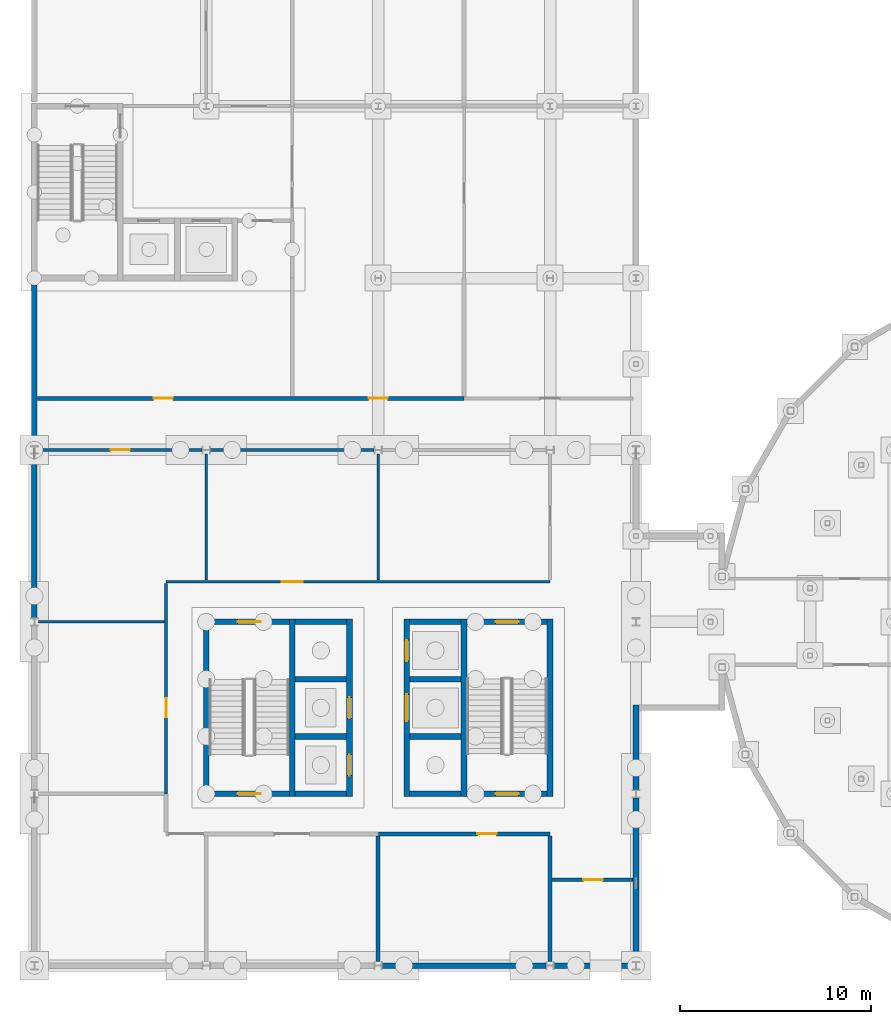
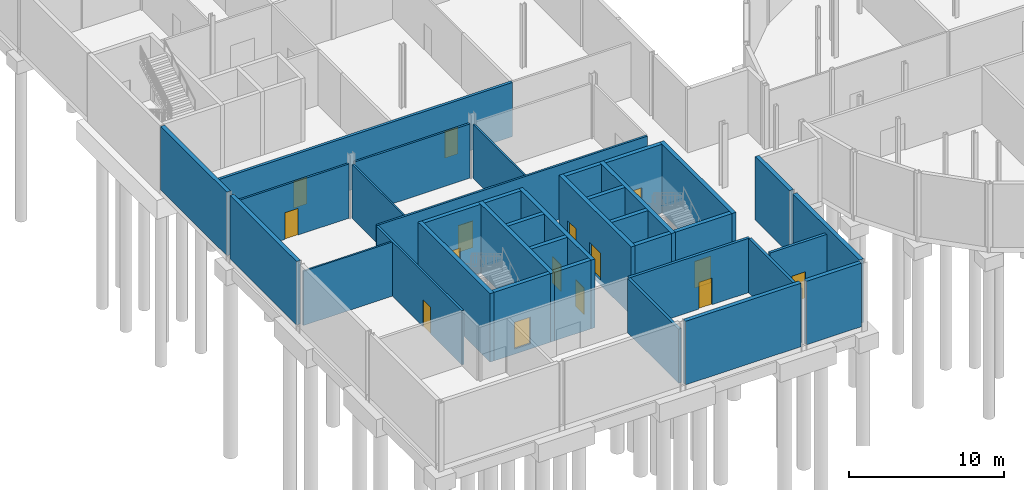
# One storey, part 14 of 25: 36 walls, 15 doors, 15 openings.
"""IFC4 building model written with IfcOpenShell, lengths in metres."""

from ifc_helpers import new_model, si_unit, direction, frame, frame_2d, origin, place, context, subcontext, project, spatial, rectangle, extrude, material, layer, layer_set, type_object, element, fill, save


model = new_model("IFC4")

# Units and contexts
model_context = context("Model", 3, precision=1e-05, world=origin(), true_north=direction((0.0, 1.0)))
body_context = subcontext(model_context, "Body", "Model", "MODEL_VIEW")
ifc_project = project(units=[si_unit("LENGTHUNIT", "METRE"), si_unit("AREAUNIT", "SQUARE_METRE"), si_unit("VOLUMEUNIT", "CUBIC_METRE"), si_unit("PLANEANGLEUNIT", "RADIAN"), si_unit("MASSUNIT", "GRAM", prefix="KILO")], contexts=[model_context])

# Site, building, storey
site_placement = place(None, origin())
site = spatial("IfcSite", under=ifc_project, at=site_placement, CompositionType="ELEMENT")
building_placement = place(site_placement, origin())
building = spatial("IfcBuilding", under=site, at=building_placement, Name="Hortulan Conservatory and Botanical Research Centre", CompositionType="ELEMENT")
storey_placement = place(building_placement, frame((0.0, 0.0, -5.0)))
storey = spatial("IfcBuildingStorey", under=building, at=storey_placement, Name="B1", CompositionType="ELEMENT", Elevation=-5.0)

# Walls
ifc_material_1 = material(Name="Concrete N40 (40 MPa, AS 3600)", Category="concrete")
ifc_layer_1 = layer(ifc_material_1, 0.300048828125)
ifc_layer_set_1 = layer_set([ifc_layer_1], Name="Basement Wall 300 N40 FRL 120/120/120")
wall_type_1 = type_object("IfcWallType", Name="Basement Wall 300 N40 FRL 120/120/120", PredefinedType="SOLIDWALL", material=ifc_layer_set_1)
wall_1_placement = place(storey_placement, frame((0.0, 27.2109375, 0.0), z_axis=(0.0, 0.0, 1.0), x_axis=(0.0, 1.0, 0.0)))
element("IfcWall", 1, at=wall_1_placement, inside=storey, type_object=wall_type_1, Name="Basement retaining wall", PredefinedType="SOLIDWALL", context=body_context, shape_type="SweptSolid", body=[
    extrude(rectangle(XDim=8.5390625, YDim=0.300048828125, at=frame_2d((4.26953125, 0.0))), origin(), (0.0, 0.0, 1.0), 5.0),
])
ifc_layer_2 = layer(ifc_material_1, 0.300048828125)
ifc_layer_set_2 = layer_set([ifc_layer_2], Name="Basement Wall 300 N40 FRL 240/240/240")
wall_type_2 = type_object("IfcWallType", Name="Basement Wall 300 N40 FRL 240/240/240", PredefinedType="SOLIDWALL", material=ifc_layer_set_2)
wall_2_placement = place(storey_placement, frame((31.5, 13.64990234375, 0.0), z_axis=(0.0, 0.0, 1.0), x_axis=(0.0, -1.0, 0.0)))
element("IfcWall", 2, at=wall_2_placement, inside=storey, type_object=wall_type_2, Name="Basement retaining wall", PredefinedType="SOLIDWALL", context=body_context, shape_type="SweptSolid", body=[
    extrude(rectangle(XDim=4.43896484375, YDim=0.300048828125, at=frame_2d((2.219482421875, 0.0))), origin(), (0.0, 0.0, 1.0), 5.0),
])
wall_3_placement = place(storey_placement, frame((31.5, 8.7890625, 0.0), z_axis=(0.0, 0.0, 1.0), x_axis=(0.0, -1.0, 0.0)))
element("IfcWall", 3, at=wall_3_placement, inside=storey, type_object=wall_type_2, Name="Basement retaining wall", PredefinedType="SOLIDWALL", context=body_context, shape_type="SweptSolid", body=[
    extrude(rectangle(XDim=8.578125, YDim=0.300048828125, at=frame_2d((4.2890625, 0.0))), origin(), (0.0, 0.0, 1.0), 5.0),
])
wall_4_placement = place(storey_placement, frame((31.300048828125, 0.0, 0.0), z_axis=(0.0, 0.0, 1.0), x_axis=(-1.0, 0.0, 0.0)))
element("IfcWall", 4, at=wall_4_placement, inside=storey, type_object=wall_type_2, Name="Basement retaining wall", PredefinedType="SOLIDWALL", context=body_context, shape_type="SweptSolid", body=[
    extrude(rectangle(XDim=4.089111328125, YDim=0.300048828125, at=frame_2d((2.04443359375, 0.0))), origin(), (0.0, 0.0, 1.0), 5.0),
])
for number, where, z_axis, x_axis, name in (
    (5, (26.7890625, 0.0, 0.0), (0.0, 0.0, 1.0), (-1.0, 0.0, 0.0), "Basement retaining wall"),
    (6, (0.0, 18.2109375, 0.0), (0.0, 0.0, 1.0), (0.0, 1.0, 0.0), "Basement retaining wall"),
):
    element("IfcWall", number, at=place(storey_placement, frame(where, z_axis=z_axis, x_axis=x_axis)), inside=storey, type_object=wall_type_2, Name=name, PredefinedType="SOLIDWALL", context=body_context, shape_type="SweptSolid", body=[
        extrude(rectangle(XDim=8.578125, YDim=0.300048828125, at=frame_2d((4.2890625, 0.0))), origin(), (0.0, 0.0, 1.0), 5.0),
    ])
ifc_material_2 = material(Name="Fire-rated plasterboard on steel studs", Category="steel")
ifc_layer_3 = layer(ifc_material_2, 0.199951171875)
ifc_layer_set_3 = layer_set([ifc_layer_3], Name="Compartment Partition 200")
wall_type_3 = type_object("IfcWallType", Name="Compartment Partition 200", PredefinedType="PARTITIONING", material=ifc_layer_set_3)
for number, where, z_axis, x_axis, name in (
    (7, (18.0, 0.220947265625, 0.0), (0.0, 0.0, 1.0), (0.0, 1.0, 0.0), "Plant room wall"),
    (8, (27.0, 0.220947265625, 0.0), (0.0, 0.0, 1.0), (0.0, 1.0, 0.0), "Store wall"),
):
    element("IfcWall", number, at=place(storey_placement, frame(where, z_axis=z_axis, x_axis=x_axis)), inside=storey, type_object=wall_type_3, Name=name, PredefinedType="PARTITIONING", context=body_context, shape_type="SweptSolid", body=[
        extrude(rectangle(XDim=6.569091796875, YDim=0.199951171875, at=frame_2d((3.28466796875, 0.0))), origin(), (0.0, 0.0, 1.0), 4.26708984375),
    ])

# Wall, opening, door
wall_5_placement = place(storey_placement, frame((27.110107421875, 4.5, 0.0), z_axis=(0.0, 0.0, 1.0), x_axis=(1.0, 0.0, 0.0)))
wall_5 = element("IfcWall", 9, at=wall_5_placement, inside=storey, type_object=wall_type_3, Name="Riser wall", PredefinedType="PARTITIONING", context=body_context, shape_type="SweptSolid", body=[
    extrude(rectangle(XDim=4.22998046875, YDim=0.199951171875, at=frame_2d((2.114990234375, 0.0))), origin(), (0.0, 0.0, 1.0), 4.49609375),
])
opening_1_placement = place(wall_5_placement, frame((1.639892578125, 0.0, 0.0)))
opening_1 = element("IfcOpeningElement", 10, at=opening_1_placement, cuts=wall_5, Name="Opening DT6", PredefinedType="OPENING", context=body_context, shape_type="SweptSolid", body=[
    extrude(rectangle(XDim=1.0, YDim=2.10009765625, at=frame_2d((0.5, 1.050048828125))), frame((0.0, 0.10986328125, 0.0), z_axis=(0.0, -1.0, 0.0), x_axis=(1.0, 0.0, 0.0)), (0.0, 0.0, 1.0), 0.219970703125),
])
ifc_material_3 = material(Name="Steel door leaf, insulated", Category="steel")
door_type_1 = type_object("IfcDoorType", Name="Fire Door 1000x2100 FRL -/120/30", OperationType="NOTDEFINED", PredefinedType="DOOR", material=ifc_material_3)
door_1_placement = place(opening_1_placement, frame((1.0, 0.0, 0.0), z_axis=(0.0, 0.0, 1.0), x_axis=(-1.0, 0.0, 0.0)))
door_1 = element("IfcDoor", 11, at=door_1_placement, inside=storey, type_object=door_type_1, Name="Door DT6 Services Riser", OperationType="SINGLE_SWING_LEFT", OverallHeight=2.10009765625, OverallWidth=1.0, PredefinedType="DOOR", context=body_context, shape_type="SweptSolid", body=[
    extrude(rectangle(XDim=1.0, YDim=2.10009765625, at=frame_2d((0.5, 1.050048828125))), frame((0.0, 0.02490234375, 0.0), z_axis=(0.0, -1.0, 0.0), x_axis=(1.0, 0.0, 0.0)), (0.0, 0.0, 1.0), 0.050048828125),
])
fill(opening_1, door_1)

wall_6_placement = place(storey_placement, frame((18.010009765625, 6.89990234375, 0.0), z_axis=(0.0, 0.0, 1.0), x_axis=(1.0, 0.0, 0.0)))
wall_6 = element("IfcWall", 12, at=wall_6_placement, inside=storey, type_object=wall_type_3, Name="Store wall", PredefinedType="PARTITIONING", context=body_context, shape_type="SweptSolid", body=[
    extrude(rectangle(XDim=8.989990234375, YDim=0.199951171875, at=frame_2d((4.4951171875, 0.0))), origin(), (0.0, 0.0, 1.0), 4.26708984375),
])
opening_2_placement = place(wall_6_placement, frame((5.18994140625, 0.0, 0.0)))
opening_2 = element("IfcOpeningElement", 13, at=opening_2_placement, cuts=wall_6, Name="Opening DT6", PredefinedType="OPENING", context=body_context, shape_type="SweptSolid", body=[
    extrude(rectangle(XDim=1.0, YDim=2.10009765625, at=frame_2d((0.5, 1.050048828125))), frame((0.0, 0.10986328125, 0.0), z_axis=(0.0, -1.0, 0.0), x_axis=(1.0, 0.0, 0.0)), (0.0, 0.0, 1.0), 0.219970703125),
])
door_2_placement = place(opening_2_placement, frame((1.0, 0.0, 0.0), z_axis=(0.0, 0.0, 1.0), x_axis=(-1.0, 0.0, 0.0)))
door_2 = element("IfcDoor", 14, at=door_2_placement, inside=storey, type_object=door_type_1, Name="Door DT6 Goods Store", OperationType="SINGLE_SWING_RIGHT", OverallHeight=2.10009765625, OverallWidth=1.0, PredefinedType="DOOR", context=body_context, shape_type="SweptSolid", body=[
    extrude(rectangle(XDim=1.0, YDim=2.10009765625, at=frame_2d((0.5, 1.050048828125))), frame((0.0, 0.02490234375, 0.0), z_axis=(0.0, -1.0, 0.0), x_axis=(1.0, 0.0, 0.0)), (0.0, 0.0, 1.0), 0.050048828125),
])
fill(opening_2, door_2)

# Wall, openings, doors
wall_7_placement = place(storey_placement, frame((0.159912109375, 29.699951171875, 0.0), z_axis=(0.0, 0.0, 1.0), x_axis=(1.0, 0.0, 0.0)))
wall_7 = element("IfcWall", 15, at=wall_7_placement, inside=storey, type_object=wall_type_3, Name="Store wall", PredefinedType="PARTITIONING", context=body_context, shape_type="SweptSolid", body=[
    extrude(rectangle(XDim=22.340087890625, YDim=0.199951171875, at=frame_2d((11.169921875, 0.0))), origin(), (0.0, 0.0, 1.0), 4.26708984375),
])
opening_3_placement = place(wall_7_placement, frame((6.090087890625, 0.0, 0.0)))
opening_3 = element("IfcOpeningElement", 16, at=opening_3_placement, cuts=wall_7, Name="Opening DT6", PredefinedType="OPENING", context=body_context, shape_type="SweptSolid", body=[
    extrude(rectangle(XDim=1.0, YDim=2.10009765625, at=frame_2d((0.5, 1.050048828125))), frame((0.0, 0.10986328125, 0.0), z_axis=(0.0, -1.0, 0.0), x_axis=(1.0, 0.0, 0.0)), (0.0, 0.0, 1.0), 0.219970703125),
])
opening_4_placement = place(wall_7_placement, frame((17.340087890625, 0.0, 0.0)))
opening_4 = element("IfcOpeningElement", 17, at=opening_4_placement, cuts=wall_7, Name="Opening DT6", PredefinedType="OPENING", context=body_context, shape_type="SweptSolid", body=[
    extrude(rectangle(XDim=1.0, YDim=2.10009765625, at=frame_2d((0.5, 1.050048828125))), frame((0.0, 0.10986328125, 0.0), z_axis=(0.0, -1.0, 0.0), x_axis=(1.0, 0.0, 0.0)), (0.0, 0.0, 1.0), 0.219970703125),
])
door_3_placement = place(opening_3_placement, origin())
door_3 = element("IfcDoor", 18, at=door_3_placement, inside=storey, type_object=door_type_1, Name="Door DT6 Seed Cold Vault", OperationType="SINGLE_SWING_RIGHT", OverallHeight=2.10009765625, OverallWidth=1.0, PredefinedType="DOOR", context=body_context, shape_type="SweptSolid", body=[
    extrude(rectangle(XDim=1.0, YDim=2.10009765625, at=frame_2d((0.5, 1.050048828125))), frame((0.0, 0.02490234375, 0.0), z_axis=(0.0, -1.0, 0.0), x_axis=(1.0, 0.0, 0.0)), (0.0, 0.0, 1.0), 0.050048828125),
])
fill(opening_3, door_3)
door_4_placement = place(opening_4_placement, origin())
door_4 = element("IfcDoor", 19, at=door_4_placement, inside=storey, type_object=door_type_1, Name="Door DT6 Seed Dry Room", OperationType="SINGLE_SWING_LEFT", OverallHeight=2.10009765625, OverallWidth=1.0, PredefinedType="DOOR", context=body_context, shape_type="SweptSolid", body=[
    extrude(rectangle(XDim=1.0, YDim=2.10009765625, at=frame_2d((0.5, 1.050048828125))), frame((0.0, 0.02490234375, 0.0), z_axis=(0.0, -1.0, 0.0), x_axis=(1.0, 0.0, 0.0)), (0.0, 0.0, 1.0), 0.050048828125),
])
fill(opening_4, door_4)

# Walls
ifc_material_4 = material(Name="Concrete N50 (50 MPa, AS 3600)", Category="concrete")
ifc_layer_4 = layer(ifc_material_4, 0.300048828125)
ifc_layer_set_4 = layer_set([ifc_layer_4], Name="Core Wall 300 N50 FRL 240/120/120")
wall_type_4 = type_object("IfcWallType", Name="Core Wall 300 N50 FRL 240/120/120", PredefinedType="SHEAR", material=ifc_layer_set_4)
for number, where, z_axis, x_axis, name in (
    (20, (9.0, 8.85009765625, -0.39990234375), (0.0, 0.0, 1.0), (0.0, 1.0, 0.0), "Reinforced concrete shaft wall"),
    (21, (13.5, 8.85009765625, -0.39990234375), (0.0, 0.0, 1.0), (0.0, 1.0, 0.0), "Reinforced concrete shaft wall"),
):
    element("IfcWall", number, at=place(storey_placement, frame(where, z_axis=z_axis, x_axis=x_axis)), inside=storey, type_object=wall_type_4, Name=name, PredefinedType="SHEAR", context=body_context, shape_type="SweptSolid", body=[
        extrude(rectangle(XDim=9.2998046875, YDim=0.300048828125, at=frame_2d((4.64990234375, 0.0))), origin(), (0.0, 0.0, 1.0), 5.39990234375),
    ])

# Wall, openings, doors
wall_8_placement = place(storey_placement, frame((16.5, 8.85009765625, -0.39990234375), z_axis=(0.0, 0.0, 1.0), x_axis=(0.0, 1.0, 0.0)))
wall_8 = element("IfcWall", 22, at=wall_8_placement, inside=storey, type_object=wall_type_4, Name="Reinforced concrete shaft wall", PredefinedType="SHEAR", context=body_context, shape_type="SweptSolid", body=[
    extrude(rectangle(XDim=9.2998046875, YDim=0.300048828125, at=frame_2d((4.64990234375, 0.0))), origin(), (0.0, 0.0, 1.0), 5.39990234375),
])
opening_5_placement = place(wall_8_placement, frame((1.10009765625, 0.0, 0.39990234375)))
opening_5 = element("IfcOpeningElement", 23, at=opening_5_placement, cuts=wall_8, Name="Opening LD1", PredefinedType="OPENING", context=body_context, shape_type="SweptSolid", body=[
    extrude(rectangle(XDim=1.10009765625, YDim=2.10009765625, at=frame_2d((0.550048828125, 1.050048828125))), frame((0.0, 0.159912109375, 0.0), z_axis=(0.0, -1.0, 0.0), x_axis=(1.0, 0.0, 0.0)), (0.0, 0.0, 1.0), 0.320068359375),
])
opening_6_placement = place(wall_8_placement, frame((4.10009765625, 0.0, 0.39990234375)))
opening_6 = element("IfcOpeningElement", 24, at=opening_6_placement, cuts=wall_8, Name="Opening LD1", PredefinedType="OPENING", context=body_context, shape_type="SweptSolid", body=[
    extrude(rectangle(XDim=1.10009765625, YDim=2.10009765625, at=frame_2d((0.550048828125, 1.050048828125))), frame((0.0, 0.159912109375, 0.0), z_axis=(0.0, -1.0, 0.0), x_axis=(1.0, 0.0, 0.0)), (0.0, 0.0, 1.0), 0.320068359375),
])
ifc_material_5 = material(Name="Stainless steel door leaves in steel frame", Category="steel")
door_type_2 = type_object("IfcDoorType", Name="Lift Landing Door 1100x2100", OperationType="DOUBLE_DOOR_SLIDING", PredefinedType="DOOR", material=ifc_material_5)
door_5_placement = place(opening_5_placement, origin())
door_5 = element("IfcDoor", 25, at=door_5_placement, inside=storey, type_object=door_type_2, Name="Lift LP1 landing door B1", OperationType="DOUBLE_DOOR_SLIDING", OverallHeight=2.10009765625, OverallWidth=1.10009765625, PredefinedType="DOOR", context=body_context, shape_type="SweptSolid", body=[
    extrude(rectangle(XDim=1.10009765625, YDim=2.10009765625, at=frame_2d((0.550048828125, 1.050048828125))), frame((0.0, 0.02490234375, 0.0), z_axis=(0.0, -1.0, 0.0), x_axis=(1.0, 0.0, 0.0)), (0.0, 0.0, 1.0), 0.050048828125),
])
fill(opening_5, door_5)
door_6_placement = place(opening_6_placement, origin())
door_6 = element("IfcDoor", 26, at=door_6_placement, inside=storey, type_object=door_type_2, Name="Lift LP2 landing door B1", OperationType="DOUBLE_DOOR_SLIDING", OverallHeight=2.10009765625, OverallWidth=1.10009765625, PredefinedType="DOOR", context=body_context, shape_type="SweptSolid", body=[
    extrude(rectangle(XDim=1.10009765625, YDim=2.10009765625, at=frame_2d((0.550048828125, 1.050048828125))), frame((0.0, 0.02490234375, 0.0), z_axis=(0.0, -1.0, 0.0), x_axis=(1.0, 0.0, 0.0)), (0.0, 0.0, 1.0), 0.050048828125),
])
fill(opening_6, door_6)

wall_9_placement = place(storey_placement, frame((19.5, 8.85009765625, -0.39990234375), z_axis=(0.0, 0.0, 1.0), x_axis=(0.0, 1.0, 0.0)))
wall_9 = element("IfcWall", 27, at=wall_9_placement, inside=storey, type_object=wall_type_4, Name="Reinforced concrete shaft wall", PredefinedType="SHEAR", context=body_context, shape_type="SweptSolid", body=[
    extrude(rectangle(XDim=9.2998046875, YDim=0.300048828125, at=frame_2d((4.64990234375, 0.0))), origin(), (0.0, 0.0, 1.0), 5.39990234375),
])
opening_7_placement = place(wall_9_placement, frame((3.949951171875, 0.0, 0.39990234375)))
opening_7 = element("IfcOpeningElement", 28, at=opening_7_placement, cuts=wall_9, Name="Opening LD2", PredefinedType="OPENING", context=body_context, shape_type="SweptSolid", body=[
    extrude(rectangle(XDim=1.39990234375, YDim=2.10009765625, at=frame_2d((0.699951171875, 1.050048828125))), frame((0.0, 0.159912109375, 0.0), z_axis=(0.0, -1.0, 0.0), x_axis=(1.0, 0.0, 0.0)), (0.0, 0.0, 1.0), 0.320068359375),
])
opening_8_placement = place(wall_9_placement, frame((7.10009765625, 0.0, 0.39990234375)))
opening_8 = element("IfcOpeningElement", 29, at=opening_8_placement, cuts=wall_9, Name="Opening LD1", PredefinedType="OPENING", context=body_context, shape_type="SweptSolid", body=[
    extrude(rectangle(XDim=1.10009765625, YDim=2.10009765625, at=frame_2d((0.550048828125, 1.050048828125))), frame((0.0, 0.159912109375, 0.0), z_axis=(0.0, -1.0, 0.0), x_axis=(1.0, 0.0, 0.0)), (0.0, 0.0, 1.0), 0.320068359375),
])
door_7_placement = place(opening_8_placement, origin())
door_7 = element("IfcDoor", 30, at=door_7_placement, inside=storey, type_object=door_type_2, Name="Lift LF1 landing door B1", OperationType="DOUBLE_DOOR_SLIDING", OverallHeight=2.10009765625, OverallWidth=1.10009765625, PredefinedType="DOOR", context=body_context, shape_type="SweptSolid", body=[
    extrude(rectangle(XDim=1.10009765625, YDim=2.10009765625, at=frame_2d((0.550048828125, 1.050048828125))), frame((0.0, 0.02490234375, 0.0), z_axis=(0.0, -1.0, 0.0), x_axis=(1.0, 0.0, 0.0)), (0.0, 0.0, 1.0), 0.050048828125),
])
fill(opening_8, door_7)
door_type_3 = type_object("IfcDoorType", Name="Lift Landing Door 1400x2100", OperationType="DOUBLE_DOOR_SLIDING", PredefinedType="DOOR", material=ifc_material_5)
door_8_placement = place(opening_7_placement, origin())
door_8 = element("IfcDoor", 31, at=door_8_placement, inside=storey, type_object=door_type_3, Name="Lift LG1 landing door B1", OperationType="DOUBLE_DOOR_SLIDING", OverallHeight=2.10009765625, OverallWidth=1.39990234375, PredefinedType="DOOR", context=body_context, shape_type="SweptSolid", body=[
    extrude(rectangle(XDim=1.39990234375, YDim=2.10009765625, at=frame_2d((0.699951171875, 1.050048828125))), frame((0.0, 0.02490234375, 0.0), z_axis=(0.0, -1.0, 0.0), x_axis=(1.0, 0.0, 0.0)), (0.0, 0.0, 1.0), 0.050048828125),
])
fill(opening_7, door_8)

# Walls
for number, where, z_axis, x_axis, name in (
    (32, (22.5, 8.85009765625, -0.39990234375), (0.0, 0.0, 1.0), (0.0, 1.0, 0.0), "Reinforced concrete shaft wall"),
    (33, (27.0, 8.85009765625, -0.39990234375), (0.0, 0.0, 1.0), (0.0, 1.0, 0.0), "Reinforced concrete shaft wall"),
):
    element("IfcWall", number, at=place(storey_placement, frame(where, z_axis=z_axis, x_axis=x_axis)), inside=storey, type_object=wall_type_4, Name=name, PredefinedType="SHEAR", context=body_context, shape_type="SweptSolid", body=[
        extrude(rectangle(XDim=9.2998046875, YDim=0.300048828125, at=frame_2d((4.64990234375, 0.0))), origin(), (0.0, 0.0, 1.0), 5.39990234375),
    ])

# Wall, opening, door
wall_10_placement = place(storey_placement, frame((9.14990234375, 9.0, -0.39990234375), z_axis=(0.0, 0.0, 1.0), x_axis=(1.0, 0.0, 0.0)))
wall_10 = element("IfcWall", 34, at=wall_10_placement, inside=storey, type_object=wall_type_4, Name="Reinforced concrete shaft wall", PredefinedType="SHEAR", context=body_context, shape_type="SweptSolid", body=[
    extrude(rectangle(XDim=4.2001953125, YDim=0.300048828125, at=frame_2d((2.10009765625, 0.0))), origin(), (0.0, 0.0, 1.0), 5.39990234375),
])
opening_9_placement = place(wall_10_placement, frame((1.5, 0.0, 0.39990234375)))
opening_9 = element("IfcOpeningElement", 35, at=opening_9_placement, cuts=wall_10, Name="Opening DT5", PredefinedType="OPENING", context=body_context, shape_type="SweptSolid", body=[
    extrude(rectangle(XDim=1.199951171875, YDim=2.10009765625, at=frame_2d((0.60009765625, 1.050048828125))), frame((0.0, 0.159912109375, 0.0), z_axis=(0.0, -1.0, 0.0), x_axis=(1.0, 0.0, 0.0)), (0.0, 0.0, 1.0), 0.320068359375),
])
door_type_4 = type_object("IfcDoorType", Name="Stair Door 1200x2100 FRL -/120/30", OperationType="NOTDEFINED", PredefinedType="DOOR", material=ifc_material_3)
door_9_placement = place(opening_9_placement, origin())
door_9 = element("IfcDoor", 36, at=door_9_placement, inside=storey, type_object=door_type_4, Name="Door DT5 Exit Stair T1", OperationType="SINGLE_SWING_RIGHT", OverallHeight=2.10009765625, OverallWidth=1.199951171875, PredefinedType="DOOR", context=body_context, shape_type="SweptSolid", body=[
    extrude(rectangle(XDim=1.199951171875, YDim=2.10009765625, at=frame_2d((0.60009765625, 1.050048828125))), frame((0.0, 0.02490234375, 0.0), z_axis=(0.0, -1.0, 0.0), x_axis=(1.0, 0.0, 0.0)), (0.0, 0.0, 1.0), 0.050048828125),
])
fill(opening_9, door_9)

# Walls
for number, where, z_axis, x_axis, name in (
    (37, (13.64990234375, 9.0, -0.39990234375), (0.0, 0.0, 1.0), (1.0, 0.0, 0.0), "Reinforced concrete shaft wall"),
    (38, (19.64990234375, 9.0, -0.39990234375), (0.0, 0.0, 1.0), (1.0, 0.0, 0.0), "Reinforced concrete shaft wall"),
):
    element("IfcWall", number, at=place(storey_placement, frame(where, z_axis=z_axis, x_axis=x_axis)), inside=storey, type_object=wall_type_4, Name=name, PredefinedType="SHEAR", context=body_context, shape_type="SweptSolid", body=[
        extrude(rectangle(XDim=2.7001953125, YDim=0.300048828125, at=frame_2d((1.35009765625, 0.0))), origin(), (0.0, 0.0, 1.0), 5.39990234375),
    ])

# Wall, opening, door
wall_11_placement = place(storey_placement, frame((22.64990234375, 9.0, -0.39990234375), z_axis=(0.0, 0.0, 1.0), x_axis=(1.0, 0.0, 0.0)))
wall_11 = element("IfcWall", 39, at=wall_11_placement, inside=storey, type_object=wall_type_4, Name="Reinforced concrete shaft wall", PredefinedType="SHEAR", context=body_context, shape_type="SweptSolid", body=[
    extrude(rectangle(XDim=4.2001953125, YDim=0.300048828125, at=frame_2d((2.10009765625, 0.0))), origin(), (0.0, 0.0, 1.0), 5.39990234375),
])
opening_10_placement = place(wall_11_placement, frame((1.5, 0.0, 0.39990234375)))
opening_10 = element("IfcOpeningElement", 40, at=opening_10_placement, cuts=wall_11, Name="Opening DT5", PredefinedType="OPENING", context=body_context, shape_type="SweptSolid", body=[
    extrude(rectangle(XDim=1.199951171875, YDim=2.10009765625, at=frame_2d((0.60009765625, 1.050048828125))), frame((0.0, 0.159912109375, 0.0), z_axis=(0.0, -1.0, 0.0), x_axis=(1.0, 0.0, 0.0)), (0.0, 0.0, 1.0), 0.320068359375),
])
door_10_placement = place(opening_10_placement, origin())
door_10 = element("IfcDoor", 41, at=door_10_placement, inside=storey, type_object=door_type_4, Name="Door DT5 Exit Stair T2", OperationType="SINGLE_SWING_LEFT", OverallHeight=2.10009765625, OverallWidth=1.199951171875, PredefinedType="DOOR", context=body_context, shape_type="SweptSolid", body=[
    extrude(rectangle(XDim=1.199951171875, YDim=2.10009765625, at=frame_2d((0.60009765625, 1.050048828125))), frame((0.0, 0.02490234375, 0.0), z_axis=(0.0, -1.0, 0.0), x_axis=(1.0, 0.0, 0.0)), (0.0, 0.0, 1.0), 0.050048828125),
])
fill(opening_10, door_10)

# Walls
for number, where, z_axis, x_axis, name in (
    (42, (13.64990234375, 12.0, -0.39990234375), (0.0, 0.0, 1.0), (1.0, 0.0, 0.0), "Reinforced concrete shaft wall"),
    (43, (19.64990234375, 12.0, -0.39990234375), (0.0, 0.0, 1.0), (1.0, 0.0, 0.0), "Reinforced concrete shaft wall"),
    (44, (13.64990234375, 15.0, -0.39990234375), (0.0, 0.0, 1.0), (1.0, 0.0, 0.0), "Reinforced concrete shaft wall"),
    (45, (19.64990234375, 15.0, -0.39990234375), (0.0, 0.0, 1.0), (1.0, 0.0, 0.0), "Reinforced concrete shaft wall"),
):
    element("IfcWall", number, at=place(storey_placement, frame(where, z_axis=z_axis, x_axis=x_axis)), inside=storey, type_object=wall_type_4, Name=name, PredefinedType="SHEAR", context=body_context, shape_type="SweptSolid", body=[
        extrude(rectangle(XDim=2.7001953125, YDim=0.300048828125, at=frame_2d((1.35009765625, 0.0))), origin(), (0.0, 0.0, 1.0), 5.39990234375),
    ])

# Wall, opening, door
wall_12_placement = place(storey_placement, frame((9.14990234375, 18.0, -0.39990234375), z_axis=(0.0, 0.0, 1.0), x_axis=(1.0, 0.0, 0.0)))
wall_12 = element("IfcWall", 46, at=wall_12_placement, inside=storey, type_object=wall_type_4, Name="Reinforced concrete shaft wall", PredefinedType="SHEAR", context=body_context, shape_type="SweptSolid", body=[
    extrude(rectangle(XDim=4.2001953125, YDim=0.300048828125, at=frame_2d((2.10009765625, 0.0))), origin(), (0.0, 0.0, 1.0), 5.39990234375),
])
opening_11_placement = place(wall_12_placement, frame((1.5, 0.0, 0.39990234375)))
opening_11 = element("IfcOpeningElement", 47, at=opening_11_placement, cuts=wall_12, Name="Opening DT5", PredefinedType="OPENING", context=body_context, shape_type="SweptSolid", body=[
    extrude(rectangle(XDim=1.199951171875, YDim=2.10009765625, at=frame_2d((0.60009765625, 1.050048828125))), frame((0.0, 0.159912109375, 0.0), z_axis=(0.0, -1.0, 0.0), x_axis=(1.0, 0.0, 0.0)), (0.0, 0.0, 1.0), 0.320068359375),
])
door_11_placement = place(opening_11_placement, frame((1.199951171875, 0.0, 0.0), z_axis=(0.0, 0.0, 1.0), x_axis=(-1.0, 0.0, 0.0)))
door_11 = element("IfcDoor", 48, at=door_11_placement, inside=storey, type_object=door_type_4, Name="Stair door T1 B1 N to Corridor North", OperationType="SINGLE_SWING_RIGHT", OverallHeight=2.10009765625, OverallWidth=1.199951171875, PredefinedType="DOOR", context=body_context, shape_type="SweptSolid", body=[
    extrude(rectangle(XDim=1.199951171875, YDim=2.10009765625, at=frame_2d((0.60009765625, 1.050048828125))), frame((0.0, 0.02490234375, 0.0), z_axis=(0.0, -1.0, 0.0), x_axis=(1.0, 0.0, 0.0)), (0.0, 0.0, 1.0), 0.050048828125),
])
fill(opening_11, door_11)

# Walls
for number, where, z_axis, x_axis, name in (
    (49, (13.64990234375, 18.0, -0.39990234375), (0.0, 0.0, 1.0), (1.0, 0.0, 0.0), "Reinforced concrete shaft wall"),
    (50, (19.64990234375, 18.0, -0.39990234375), (0.0, 0.0, 1.0), (1.0, 0.0, 0.0), "Reinforced concrete shaft wall"),
):
    element("IfcWall", number, at=place(storey_placement, frame(where, z_axis=z_axis, x_axis=x_axis)), inside=storey, type_object=wall_type_4, Name=name, PredefinedType="SHEAR", context=body_context, shape_type="SweptSolid", body=[
        extrude(rectangle(XDim=2.7001953125, YDim=0.300048828125, at=frame_2d((1.35009765625, 0.0))), origin(), (0.0, 0.0, 1.0), 5.39990234375),
    ])

# Wall, opening, door
wall_13_placement = place(storey_placement, frame((22.64990234375, 18.0, -0.39990234375), z_axis=(0.0, 0.0, 1.0), x_axis=(1.0, 0.0, 0.0)))
wall_13 = element("IfcWall", 51, at=wall_13_placement, inside=storey, type_object=wall_type_4, Name="Reinforced concrete shaft wall", PredefinedType="SHEAR", context=body_context, shape_type="SweptSolid", body=[
    extrude(rectangle(XDim=4.2001953125, YDim=0.300048828125, at=frame_2d((2.10009765625, 0.0))), origin(), (0.0, 0.0, 1.0), 5.39990234375),
])
opening_12_placement = place(wall_13_placement, frame((1.5, 0.0, 0.39990234375)))
opening_12 = element("IfcOpeningElement", 52, at=opening_12_placement, cuts=wall_13, Name="Opening DT5", PredefinedType="OPENING", context=body_context, shape_type="SweptSolid", body=[
    extrude(rectangle(XDim=1.199951171875, YDim=2.10009765625, at=frame_2d((0.60009765625, 1.050048828125))), frame((0.0, 0.159912109375, 0.0), z_axis=(0.0, -1.0, 0.0), x_axis=(1.0, 0.0, 0.0)), (0.0, 0.0, 1.0), 0.320068359375),
])
door_12_placement = place(opening_12_placement, frame((1.199951171875, 0.0, 0.0), z_axis=(0.0, 0.0, 1.0), x_axis=(-1.0, 0.0, 0.0)))
door_12 = element("IfcDoor", 53, at=door_12_placement, inside=storey, type_object=door_type_4, Name="Stair door T2 B1 N to Corridor North", OperationType="SINGLE_SWING_RIGHT", OverallHeight=2.10009765625, OverallWidth=1.199951171875, PredefinedType="DOOR", context=body_context, shape_type="SweptSolid", body=[
    extrude(rectangle(XDim=1.199951171875, YDim=2.10009765625, at=frame_2d((0.60009765625, 1.050048828125))), frame((0.0, 0.02490234375, 0.0), z_axis=(0.0, -1.0, 0.0), x_axis=(1.0, 0.0, 0.0)), (0.0, 0.0, 1.0), 0.050048828125),
])
fill(opening_12, door_12)

ifc_material_6 = material(Name="Plasterboard on steel studs", Category="steel")
ifc_layer_5 = layer(ifc_material_6, 0.14990234375)
ifc_layer_set_5 = layer_set([ifc_layer_5], Name="Corridor Partition 150")
wall_type_5 = type_object("IfcWallType", Name="Corridor Partition 150", PredefinedType="PARTITIONING", material=ifc_layer_set_5)
wall_14_placement = place(storey_placement, frame((6.89990234375, 9.0, 0.0), z_axis=(0.0, 0.0, 1.0), x_axis=(0.0, 1.0, 0.0)))
wall_14 = element("IfcWall", 54, at=wall_14_placement, inside=storey, type_object=wall_type_5, Name="Corridor partition", PredefinedType="PARTITIONING", context=body_context, shape_type="SweptSolid", body=[
    extrude(rectangle(XDim=11.014892578125, YDim=0.14990234375, at=frame_2d((5.50732421875, 0.0))), origin(), (0.0, 0.0, 1.0), 4.26708984375),
])
opening_13_placement = place(wall_14_placement, frame((4.0, 0.0, 0.0)))
opening_13 = element("IfcOpeningElement", 55, at=opening_13_placement, cuts=wall_14, Name="Opening DT1", PredefinedType="OPENING", context=body_context, shape_type="SweptSolid", body=[
    extrude(rectangle(XDim=1.0, YDim=2.10009765625, at=frame_2d((0.5, 1.050048828125))), frame((0.0, 0.0849609375, 0.0), z_axis=(0.0, -1.0, 0.0), x_axis=(1.0, 0.0, 0.0)), (0.0, 0.0, 1.0), 0.169921875),
])
ifc_material_7 = material(Name="Timber door leaf in timber frame", Category="wood")
door_type_5 = type_object("IfcDoorType", Name="Single Door 1000x2100", OperationType="NOTDEFINED", PredefinedType="DOOR", material=ifc_material_7)
door_13_placement = place(opening_13_placement, origin())
door_13 = element("IfcDoor", 56, at=door_13_placement, inside=storey, type_object=door_type_5, Name="Door DT1 Tower Cycle Parking", OperationType="SINGLE_SWING_RIGHT", OverallHeight=2.10009765625, OverallWidth=1.0, PredefinedType="DOOR", context=body_context, shape_type="SweptSolid", body=[
    extrude(rectangle(XDim=1.0, YDim=2.10009765625, at=frame_2d((0.5, 1.050048828125))), frame((0.0, 0.02490234375, 0.0), z_axis=(0.0, -1.0, 0.0), x_axis=(1.0, 0.0, 0.0)), (0.0, 0.0, 1.0), 0.050048828125),
])
fill(opening_13, door_13)

wall_15_placement = place(storey_placement, frame((6.89990234375, 20.10009765625, 0.0), z_axis=(0.0, 0.0, 1.0), x_axis=(1.0, 0.0, 0.0)))
wall_15 = element("IfcWall", 57, at=wall_15_placement, inside=storey, type_object=wall_type_5, Name="Corridor partition", PredefinedType="PARTITIONING", context=body_context, shape_type="SweptSolid", body=[
    extrude(rectangle(XDim=20.10009765625, YDim=0.14990234375, at=frame_2d((10.050048828125, 0.0))), origin(), (0.0, 0.0, 1.0), 4.26708984375),
])
opening_14_placement = place(wall_15_placement, frame((6.050048828125, 0.0, 0.0)))
opening_14 = element("IfcOpeningElement", 58, at=opening_14_placement, cuts=wall_15, Name="Opening DT3", PredefinedType="OPENING", context=body_context, shape_type="SweptSolid", body=[
    extrude(rectangle(XDim=1.10009765625, YDim=2.10009765625, at=frame_2d((0.550048828125, 1.050048828125))), frame((0.0, 0.0849609375, 0.0), z_axis=(0.0, -1.0, 0.0), x_axis=(1.0, 0.0, 0.0)), (0.0, 0.0, 1.0), 0.169921875),
])
ifc_material_8 = material(Name="Timber door leaf with vision panel", Category="wood")
door_type_6 = type_object("IfcDoorType", Name="Laboratory Door 1100x2100", OperationType="NOTDEFINED", PredefinedType="DOOR", material=ifc_material_8)
door_14_placement = place(opening_14_placement, origin())
door_14 = element("IfcDoor", 59, at=door_14_placement, inside=storey, type_object=door_type_6, Name="Door DT3 Seed Laboratory", OperationType="SINGLE_SWING_RIGHT", OverallHeight=2.10009765625, OverallWidth=1.10009765625, PredefinedType="DOOR", context=body_context, shape_type="SweptSolid", body=[
    extrude(rectangle(XDim=1.10009765625, YDim=2.10009765625, at=frame_2d((0.550048828125, 1.050048828125))), frame((0.0, 0.02490234375, 0.0), z_axis=(0.0, -1.0, 0.0), x_axis=(1.0, 0.0, 0.0)), (0.0, 0.0, 1.0), 0.050048828125),
])
fill(opening_14, door_14)

wall_16_placement = place(storey_placement, frame((0.2099609375, 27.0, 0.0), z_axis=(0.0, 0.0, 1.0), x_axis=(1.0, 0.0, 0.0)))
wall_16 = element("IfcWall", 60, at=wall_16_placement, inside=storey, type_object=wall_type_5, Name="Corridor partition", PredefinedType="PARTITIONING", context=body_context, shape_type="SweptSolid", body=[
    extrude(rectangle(XDim=8.580078125, YDim=0.14990234375, at=frame_2d((4.2900390625, 0.0))), origin(), (0.0, 0.0, 1.0), 4.27197265625),
])
opening_15_placement = place(wall_16_placement, frame((3.7900390625, 0.0, 0.0)))
opening_15 = element("IfcOpeningElement", 61, at=opening_15_placement, cuts=wall_16, Name="Opening DT1", PredefinedType="OPENING", context=body_context, shape_type="SweptSolid", body=[
    extrude(rectangle(XDim=1.0, YDim=2.10009765625, at=frame_2d((0.5, 1.050048828125))), frame((0.0, 0.0849609375, 0.0), z_axis=(0.0, -1.0, 0.0), x_axis=(1.0, 0.0, 0.0)), (0.0, 0.0, 1.0), 0.169921875),
])
door_15_placement = place(opening_15_placement, frame((1.0, 0.0, 0.0), z_axis=(0.0, 0.0, 1.0), x_axis=(-1.0, 0.0, 0.0)))
door_15 = element("IfcDoor", 62, at=door_15_placement, inside=storey, type_object=door_type_5, Name="Door DT1 Seed Processing Room", OperationType="SINGLE_SWING_RIGHT", OverallHeight=2.10009765625, OverallWidth=1.0, PredefinedType="DOOR", context=body_context, shape_type="SweptSolid", body=[
    extrude(rectangle(XDim=1.0, YDim=2.10009765625, at=frame_2d((0.5, 1.050048828125))), frame((0.0, 0.02490234375, 0.0), z_axis=(0.0, -1.0, 0.0), x_axis=(1.0, 0.0, 0.0)), (0.0, 0.0, 1.0), 0.050048828125),
])
fill(opening_15, door_15)

# Walls
wall_17_placement = place(storey_placement, frame((9.2099609375, 27.0, 0.0), z_axis=(0.0, 0.0, 1.0), x_axis=(1.0, 0.0, 0.0)))
element("IfcWall", 63, at=wall_17_placement, inside=storey, type_object=wall_type_5, Name="Corridor partition", PredefinedType="PARTITIONING", context=body_context, shape_type="SweptSolid", body=[
    extrude(rectangle(XDim=8.580078125, YDim=0.14990234375, at=frame_2d((4.2900390625, 0.0))), origin(), (0.0, 0.0, 1.0), 4.27197265625),
])
ifc_layer_6 = layer(ifc_material_6, 0.125)
ifc_layer_set_6 = layer_set([ifc_layer_6], Name="Partition 125")
wall_type_6 = type_object("IfcWallType", Name="Partition 125", PredefinedType="PARTITIONING", material=ifc_layer_set_6)
for number, where, z_axis, x_axis, name in (
    (64, (9.0, 20.18505859375, 0.0), (0.0, 0.0, 1.0), (0.0, 1.0, 0.0), "Partition"),
    (65, (18.0, 20.18505859375, 0.0), (0.0, 0.0, 1.0), (0.0, 1.0, 0.0), "Partition"),
):
    element("IfcWall", number, at=place(storey_placement, frame(where, z_axis=z_axis, x_axis=x_axis)), inside=storey, type_object=wall_type_6, Name=name, PredefinedType="PARTITIONING", context=body_context, shape_type="SweptSolid", body=[
        extrude(rectangle(XDim=6.593994140625, YDim=0.125, at=frame_2d((3.296875, 0.0))), origin(), (0.0, 0.0, 1.0), 4.26708984375),
    ])
wall_18_placement = place(storey_placement, frame((0.2099609375, 18.0, 0.0), z_axis=(0.0, 0.0, 1.0), x_axis=(1.0, 0.0, 0.0)))
element("IfcWall", 66, at=wall_18_placement, inside=storey, type_object=wall_type_6, Name="Partition", PredefinedType="PARTITIONING", context=body_context, shape_type="SweptSolid", body=[
    extrude(rectangle(XDim=6.60498046875, YDim=0.125, at=frame_2d((3.302490234375, 0.0))), origin(), (0.0, 0.0, 1.0), 4.26708984375),
])

save(model, "model.ifc")
